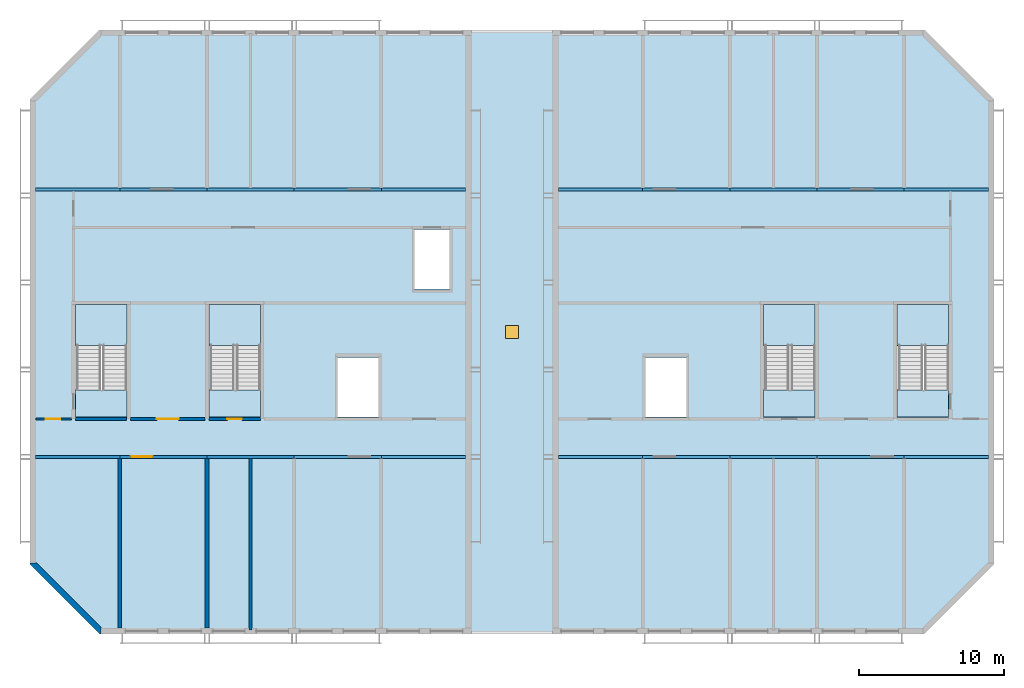
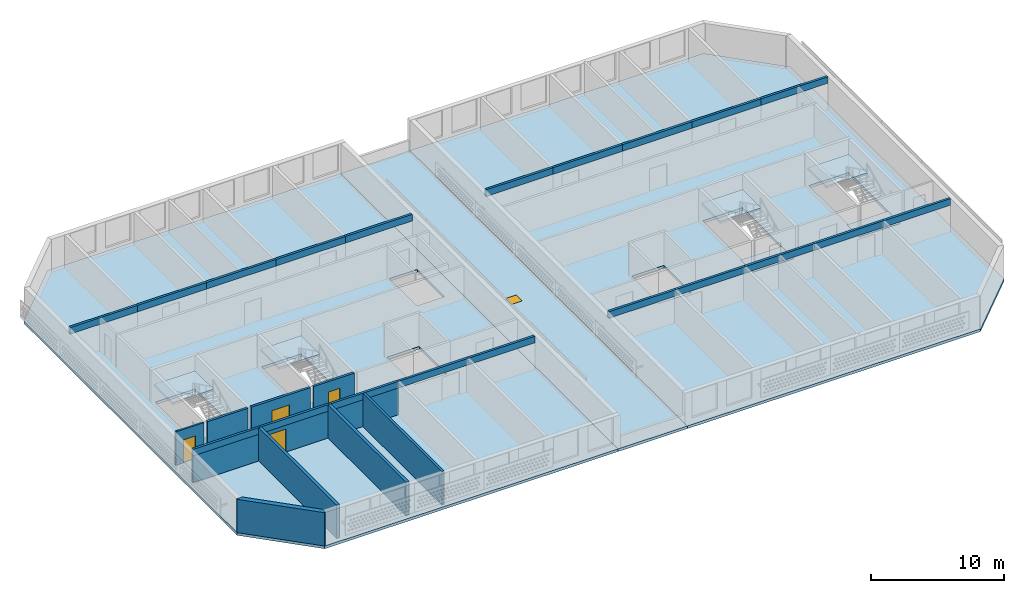
# One storey, part 1 of 18: 20 beams, 11 slabs, 11 walls, 4 doors, 1 window, 5 openings, 4 elements without a shape of their own.
"""IFC4 building model written with IfcOpenShell, lengths in metres."""

from ifc_helpers import new_model, si_unit, direction, frame, frame_2d, origin, origin_2d, place, context, subcontext, project, spatial, polyline, rectangle, outline, extrude, source, transform, mapped, material, layer, layer_set, material_profile, profile_set, type_object, element, fill, aggregate, save


model = new_model("IFC4")

# Units and contexts
model_context = context("Model", 3, precision=1e-05, world=origin(), true_north=direction((0.0, 1.0)))
body_context = subcontext(model_context, "Body", "Model", "MODEL_VIEW")
ifc_project = project(units=[si_unit("LENGTHUNIT", "METRE"), si_unit("AREAUNIT", "SQUARE_METRE"), si_unit("VOLUMEUNIT", "CUBIC_METRE"), si_unit("PLANEANGLEUNIT", "RADIAN"), si_unit("MASSUNIT", "GRAM", prefix="KILO")], contexts=[model_context])

# Site, building, storey
site_placement = place(None, origin())
site = spatial("IfcSite", under=ifc_project, at=site_placement, CompositionType="ELEMENT")
building_placement = place(site_placement, origin())
building = spatial("IfcBuilding", under=site, at=building_placement, Name="Poui Terraces", CompositionType="ELEMENT")
storey_placement = place(building_placement, frame((0.0, 0.0, 272.39990234375)))
storey = spatial("IfcBuildingStorey", under=building, at=storey_placement, Name="L75 CROWN", CompositionType="ELEMENT", Elevation=272.39990234375)

# Beams
ifc_material_1 = material(Name="Concrete 50 MPa", Category="concrete")
ifc_material_profile = material_profile(ifc_material_1, rectangle(XDim=0.199951171875, YDim=0.60009765625, at=origin_2d()), Name="RC 200x600")
ifc_profile_set = profile_set([ifc_material_profile], Name="Concrete 50 MPa")
beam_type = type_object("IfcBeamType", Name="COUPLING BEAM 200x600 50MPa", PredefinedType="BEAM", material=ifc_profile_set)
shared_shape_1 = source(origin(), body_context, "Body", "SweptSolid", [
    extrude(rectangle(XDim=0.199951171875, YDim=0.60009765625, at=origin_2d()), origin(), (0.0, 0.0, 1.0), 5.800048828125),
])
for number, where, z_axis, x_axis, name in (
    (1, (18.199951171875, 12.0, 2.75), (1.0, 0.0, 0.0), (0.0, 1.0, 0.0), "COUPLING BEAM LINE B BAY W1"),
    (2, (42.0, 12.0, 2.75), (1.0, 0.0, 0.0), (0.0, 1.0, 0.0), "COUPLING BEAM LINE B BAY W5"),
    (3, (18.199951171875, 30.39990234375, 2.75), (1.0, 0.0, 0.0), (0.0, 1.0, 0.0), "COUPLING BEAM LINE E BAY W1"),
    (4, (42.0, 30.39990234375, 2.75), (1.0, 0.0, 0.0), (0.0, 1.0, 0.0), "COUPLING BEAM LINE E BAY W5"),
    (5, (54.199951171875, 12.0, 2.75), (1.0, 0.0, 0.0), (0.0, 1.0, 0.0), "COUPLING BEAM LINE B BAY E1"),
    (6, (78.0, 12.0, 2.75), (1.0, 0.0, 0.0), (0.0, 1.0, 0.0), "COUPLING BEAM LINE B BAY E5"),
    (7, (54.199951171875, 30.39990234375, 2.75), (1.0, 0.0, 0.0), (0.0, 1.0, 0.0), "COUPLING BEAM LINE E BAY E1"),
    (8, (78.0, 30.39990234375, 2.75), (1.0, 0.0, 0.0), (0.0, 1.0, 0.0), "COUPLING BEAM LINE E BAY E5"),
):
    element("IfcBeam", number, at=place(storey_placement, frame(where, z_axis=z_axis, x_axis=x_axis)), inside=storey, type_object=beam_type, Name=name, PredefinedType="BEAM", context=body_context, shape_type="MappedRepresentation", body=[
        mapped(shared_shape_1, transform((0.0, 0.0, 0.0))),
    ])
shared_shape_2 = source(origin(), body_context, "Body", "SweptSolid", [
    extrude(rectangle(XDim=0.199951171875, YDim=0.60009765625, at=origin_2d()), origin(), (0.0, 0.0, 1.0), 6.0),
])
for number, where, z_axis, x_axis, name in (
    (9, (24.0, 12.0, 2.75), (1.0, 0.0, 0.0), (0.0, 1.0, 0.0), "COUPLING BEAM LINE B BAY W2"),
    (10, (30.0, 12.0, 2.75), (1.0, 0.0, 0.0), (0.0, 1.0, 0.0), "COUPLING BEAM LINE B BAY W3"),
    (11, (36.0, 12.0, 2.75), (1.0, 0.0, 0.0), (0.0, 1.0, 0.0), "COUPLING BEAM LINE B BAY W4"),
    (12, (24.0, 30.39990234375, 2.75), (1.0, 0.0, 0.0), (0.0, 1.0, 0.0), "COUPLING BEAM LINE E BAY W2"),
    (13, (30.0, 30.39990234375, 2.75), (1.0, 0.0, 0.0), (0.0, 1.0, 0.0), "COUPLING BEAM LINE E BAY W3"),
    (14, (36.0, 30.39990234375, 2.75), (1.0, 0.0, 0.0), (0.0, 1.0, 0.0), "COUPLING BEAM LINE E BAY W4"),
    (15, (60.0, 12.0, 2.75), (1.0, 0.0, 0.0), (0.0, 1.0, 0.0), "COUPLING BEAM LINE B BAY E2"),
    (16, (66.0, 12.0, 2.75), (1.0, 0.0, 0.0), (0.0, 1.0, 0.0), "COUPLING BEAM LINE B BAY E3"),
    (17, (72.0, 12.0, 2.75), (1.0, 0.0, 0.0), (0.0, 1.0, 0.0), "COUPLING BEAM LINE B BAY E4"),
    (18, (60.0, 30.39990234375, 2.75), (1.0, 0.0, 0.0), (0.0, 1.0, 0.0), "COUPLING BEAM LINE E BAY E2"),
    (19, (66.0, 30.39990234375, 2.75), (1.0, 0.0, 0.0), (0.0, 1.0, 0.0), "COUPLING BEAM LINE E BAY E3"),
    (20, (72.0, 30.39990234375, 2.75), (1.0, 0.0, 0.0), (0.0, 1.0, 0.0), "COUPLING BEAM LINE E BAY E4"),
):
    element("IfcBeam", number, at=place(storey_placement, frame(where, z_axis=z_axis, x_axis=x_axis)), inside=storey, type_object=beam_type, Name=name, PredefinedType="BEAM", context=body_context, shape_type="MappedRepresentation", body=[
        mapped(shared_shape_2, transform((0.0, 0.0, 0.0))),
    ])

# Stair, slabs
stair_type = type_object("IfcStairType", Name="EXIT STAIR 1650 50 MPA", PredefinedType="HALF_TURN_STAIR", material=ifc_material_1)
stair_1_placement = place(storey_placement, origin())
stair_1 = element("IfcStair", 21, at=stair_1_placement, inside=storey, type_object=stair_type, Name="L75 CROWN CORE STAIR EAST", PredefinedType="HALF_TURN_STAIR")
ifc_layer_1 = layer(ifc_material_1, 0.199951171875)
ifc_layer_set_1 = layer_set([ifc_layer_1], Name="Concrete 50 MPa")
slab_type_1 = type_object("IfcSlabType", Name="STAIR LANDING 200 50 MPA", PredefinedType="LANDING", material=ifc_layer_set_1)
slab_1_placement = place(storey_placement, frame((0.0, 0.0, 1.449951171875)))
slab_1 = element("IfcSlab", 22, at=slab_1_placement, type_object=slab_type_1, Name="ST-CE landing 1", PredefinedType="LANDING", context=body_context, shape_type="SweptSolid", body=[
    extrude(outline(polyline([(68.324951171875, 19.679931640625), (71.875, 19.679931640625), (71.875, 22.47509765625), (68.324951171875, 22.47509765625), (68.324951171875, 19.679931640625)])), origin(), (0.0, 0.0, 1.0), 0.2001953125),
])
slab_2_placement = place(storey_placement, frame((0.0, 0.0, -0.199951171875)))
slab_2 = element("IfcSlab", 23, at=slab_2_placement, type_object=slab_type_1, Name="ST-CE landing 2", PredefinedType="LANDING", context=body_context, shape_type="SweptSolid", body=[
    extrude(outline(polyline([(68.324951171875, 14.75), (71.875, 14.75), (71.875, 16.60009765625), (68.324951171875, 16.60009765625), (68.324951171875, 14.75)])), origin(), (0.0, 0.0, 1.0), 0.199951171875),
])
aggregate(stair_1, [slab_1, slab_2])

stair_2_placement = place(storey_placement, origin())
stair_2 = element("IfcStair", 24, at=stair_2_placement, inside=storey, type_object=stair_type, Name="L75 CROWN CORE STAIR WEST", PredefinedType="HALF_TURN_STAIR")
slab_3_placement = place(storey_placement, frame((0.0, 0.0, 1.449951171875)))
slab_3 = element("IfcSlab", 25, at=slab_3_placement, type_object=slab_type_1, Name="ST-CW landing 1", PredefinedType="LANDING", context=body_context, shape_type="SweptSolid", body=[
    extrude(outline(polyline([(30.125, 19.679931640625), (33.675048828125, 19.679931640625), (33.675048828125, 22.47509765625), (30.125, 22.47509765625), (30.125, 19.679931640625)])), origin(), (0.0, 0.0, 1.0), 0.2001953125),
])
slab_4_placement = place(storey_placement, frame((0.0, 0.0, -0.199951171875)))
slab_4 = element("IfcSlab", 26, at=slab_4_placement, type_object=slab_type_1, Name="ST-CW landing 2", PredefinedType="LANDING", context=body_context, shape_type="SweptSolid", body=[
    extrude(outline(polyline([(30.125, 14.75), (33.675048828125, 14.75), (33.675048828125, 16.60009765625), (30.125, 16.60009765625), (30.125, 14.75)])), origin(), (0.0, 0.0, 1.0), 0.199951171875),
])
aggregate(stair_2, [slab_3, slab_4])

stair_3_placement = place(storey_placement, origin())
stair_3 = element("IfcStair", 27, at=stair_3_placement, inside=storey, type_object=stair_type, Name="L75 CROWN TIP STAIR EAST", PredefinedType="HALF_TURN_STAIR")
slab_5_placement = place(storey_placement, frame((0.0, 0.0, 1.449951171875)))
slab_5 = element("IfcSlab", 28, at=slab_5_placement, type_object=slab_type_1, Name="ST-E landing 1", PredefinedType="LANDING", context=body_context, shape_type="SweptSolid", body=[
    extrude(outline(polyline([(77.52490234375, 19.679931640625), (81.074951171875, 19.679931640625), (81.074951171875, 22.47509765625), (77.52490234375, 22.47509765625), (77.52490234375, 19.679931640625)])), origin(), (0.0, 0.0, 1.0), 0.2001953125),
])
slab_6_placement = place(storey_placement, frame((0.0, 0.0, -0.199951171875)))
slab_6 = element("IfcSlab", 29, at=slab_6_placement, type_object=slab_type_1, Name="ST-E landing 2", PredefinedType="LANDING", context=body_context, shape_type="SweptSolid", body=[
    extrude(outline(polyline([(77.52490234375, 14.75), (81.074951171875, 14.75), (81.074951171875, 16.60009765625), (77.52490234375, 16.60009765625), (77.52490234375, 14.75)])), origin(), (0.0, 0.0, 1.0), 0.199951171875),
])
aggregate(stair_3, [slab_5, slab_6])

stair_4_placement = place(storey_placement, origin())
stair_4 = element("IfcStair", 30, at=stair_4_placement, inside=storey, type_object=stair_type, Name="L75 CROWN TIP STAIR WEST", PredefinedType="HALF_TURN_STAIR")
slab_7_placement = place(storey_placement, frame((0.0, 0.0, 1.449951171875)))
slab_7 = element("IfcSlab", 31, at=slab_7_placement, type_object=slab_type_1, Name="ST-W landing 1", PredefinedType="LANDING", context=body_context, shape_type="SweptSolid", body=[
    extrude(outline(polyline([(20.925048828125, 19.679931640625), (24.47509765625, 19.679931640625), (24.47509765625, 22.47509765625), (20.925048828125, 22.47509765625), (20.925048828125, 19.679931640625)])), origin(), (0.0, 0.0, 1.0), 0.2001953125),
])
slab_8_placement = place(storey_placement, frame((0.0, 0.0, -0.199951171875)))
slab_8 = element("IfcSlab", 32, at=slab_8_placement, type_object=slab_type_1, Name="ST-W landing 2", PredefinedType="LANDING", context=body_context, shape_type="SweptSolid", body=[
    extrude(outline(polyline([(20.925048828125, 14.75), (24.47509765625, 14.75), (24.47509765625, 16.60009765625), (20.925048828125, 16.60009765625), (20.925048828125, 14.75)])), origin(), (0.0, 0.0, 1.0), 0.199951171875),
])
aggregate(stair_4, [slab_7, slab_8])

# Slabs
ifc_material_2 = material(Name="Concrete 40 MPa", Category="concrete")
ifc_layer_2 = layer(ifc_material_2, 0.25)
ifc_layer_set_2 = layer_set([ifc_layer_2], Name="Concrete 40 MPa")
slab_type_2 = type_object("IfcSlabType", Name="FLOOR SLAB 250", PredefinedType="FLOOR", material=ifc_layer_set_2)
shared_shape_3 = source(origin(), body_context, "Body", "SweptSolid", [
    extrude(outline(polyline([(0.0, 0.0), (4.800048828125, -4.800048828125), (30.199951171875, -4.800048828125), (30.199951171875, 36.7998046875), (4.800048828125, 36.7998046875), (0.0, 32.0), (0.0, 0.0)]), holes=[polyline([(24.0, 14.25), (24.0, 10.14990234375), (21.199951171875, 10.14990234375), (21.199951171875, 14.25), (24.0, 14.25)]), polyline([(3.224853515625, 12.0), (3.224853515625, 17.849853515625), (6.675048828125, 17.849853515625), (6.675048828125, 12.0), (6.675048828125, 10.14990234375), (3.125, 10.14990234375), (3.125, 12.0), (3.224853515625, 12.0)]), polyline([(12.425048828125, 12.0), (12.425048828125, 17.849853515625), (15.875, 17.849853515625), (15.875, 12.0), (15.875, 10.14990234375), (12.324951171875, 10.14990234375), (12.324951171875, 12.0), (12.425048828125, 12.0)]), polyline([(28.89990234375, 18.949951171875), (26.5, 18.949951171875), (26.5, 23.0498046875), (28.89990234375, 23.0498046875), (28.89990234375, 18.949951171875)])]), origin(), (0.0, 0.0, 1.0), 0.25),
])
slab_9_placement = place(storey_placement, frame((17.800048828125, 4.60009765625, -0.25)))
element("IfcSlab", 33, at=slab_9_placement, inside=storey, type_object=slab_type_2, Name="FLOOR SLAB", PredefinedType="FLOOR", context=body_context, shape_type="MappedRepresentation", body=[
    mapped(shared_shape_3, transform((0.0, 0.0, 0.0))),
])
shared_shape_4 = source(origin(), body_context, "Body", "SweptSolid", [
    extrude(outline(polyline([(0.0, 0.0), (-4.800048828125, 4.7998046875), (-30.199951171875, 4.7998046875), (-30.199951171875, -36.800048828125), (-4.800048828125, -36.800048828125), (0.0, -32.0), (0.0, 0.0)]), holes=[polyline([(-21.199951171875, -21.85009765625), (-24.0, -21.85009765625), (-24.0, -17.75), (-21.199951171875, -17.75), (-21.199951171875, -21.85009765625)]), polyline([(-15.77490234375, -20.0), (-15.77490234375, -14.150146484375), (-12.324951171875, -14.150146484375), (-12.324951171875, -20.0), (-12.324951171875, -21.85009765625), (-15.875, -21.85009765625), (-15.875, -20.0), (-15.77490234375, -20.0)]), polyline([(-6.574951171875, -20.0), (-6.574951171875, -14.150146484375), (-3.125, -14.150146484375), (-3.125, -20.0), (-3.125, -21.85009765625), (-6.675048828125, -21.85009765625), (-6.675048828125, -20.0), (-6.574951171875, -20.0)])]), origin(), (0.0, 0.0, 1.0), 0.25),
])
slab_10_placement = place(storey_placement, frame((84.199951171875, 36.60009765625, -0.25)))
element("IfcSlab", 34, at=slab_10_placement, inside=storey, type_object=slab_type_2, Name="FLOOR SLAB", PredefinedType="FLOOR", context=body_context, shape_type="MappedRepresentation", body=[
    mapped(shared_shape_4, transform((0.0, 0.0, 0.0))),
])

# Slab, opening, window
ifc_layer_3 = layer(ifc_material_2, 0.25)
ifc_layer_set_3 = layer_set([ifc_layer_3], Name="Concrete 40 MPa")
slab_type_3 = type_object("IfcSlabType", Name="SLOT FLOOR SLAB 250", PredefinedType="FLOOR", material=ifc_layer_set_3)
shared_shape_5 = source(origin(), body_context, "Body", "SweptSolid", [
    extrude(outline(polyline([(0.0, 0.0), (0.0, 41.599853515625), (-6.0, 41.599853515625), (-6.0, 0.0), (0.0, 0.0)])), origin(), (0.0, 0.0, 1.0), 0.25),
])
slab_11_placement = place(storey_placement, frame((54.0, -0.199951171875, -0.25)))
slab_11 = element("IfcSlab", 35, at=slab_11_placement, inside=storey, type_object=slab_type_3, Name="SLOT FLOOR SLAB", PredefinedType="FLOOR", context=body_context, shape_type="MappedRepresentation", body=[
    mapped(shared_shape_5, transform((0.0, 0.0, 0.0))),
])
opening_1_placement = place(slab_11_placement, frame((-3.0, 20.800048828125, -0.010009765625)))
opening_1 = element("IfcOpeningElement", 36, at=opening_1_placement, cuts=slab_11, Name="Opening RH1", PredefinedType="OPENING", context=body_context, shape_type="SweptSolid", body=[
    extrude(rectangle(XDim=0.89990234375, YDim=0.89990234375, at=origin_2d()), origin(), (0.0, 0.0, 1.0), 0.27001953125),
])
ifc_material_3 = material(Name="Clear glass in aluminium frame", Category="aluminium")
window_type = type_object("IfcWindowType", Name="ROOF ACCESS HATCH 900X900", PartitioningType="SINGLE_PANEL", PredefinedType="SKYLIGHT", material=ifc_material_3)
window_placement = place(opening_1_placement, frame((0.0, 0.0, 0.2099609375)))
window = element("IfcWindow", 37, at=window_placement, inside=storey, type_object=window_type, Name="ROOF ACCESS HATCH", OverallHeight=0.89990234375, OverallWidth=0.89990234375, PartitioningType="SINGLE_PANEL", PredefinedType="SKYLIGHT", context=body_context, shape_type="SweptSolid", body=[
    extrude(rectangle(XDim=0.89990234375, YDim=0.89990234375, at=origin_2d()), origin(), (0.0, 0.0, 1.0), 0.050048828125),
])
fill(opening_1, window)

# Wall, opening, door
ifc_material_4 = material(Name="Fire-rated plasterboard wall")
ifc_layer_4 = layer(ifc_material_4, 0.14990234375)
ifc_layer_set_4 = layer_set([ifc_layer_4], Name="Fire-rated plasterboard wall")
wall_type_1 = type_object("IfcWallType", Name="CORRIDOR WALL 150", PredefinedType="PARTITIONING", material=ifc_layer_set_4)
wall_1_placement = place(storey_placement, frame((18.2099609375, 14.60009765625, 0.0), z_axis=(0.0, 0.0, 1.0), x_axis=(1.0, 0.0, 0.0)))
wall_1 = element("IfcWall", 38, at=wall_1_placement, inside=storey, type_object=wall_type_1, Name="CORRIDOR WALL 150", PredefinedType="PARTITIONING", context=body_context, shape_type="SweptSolid", body=[
    extrude(rectangle(XDim=2.455078125, YDim=0.14990234375, at=frame_2d((1.2275390625, 0.0))), origin(), (0.0, 0.0, 1.0), 3.050048828125),
])
opening_2_placement = place(wall_1_placement, frame((0.68994140625, 0.0, 0.0)))
opening_2 = element("IfcOpeningElement", 39, at=opening_2_placement, cuts=wall_1, Name="Opening FDL", PredefinedType="OPENING", context=body_context, shape_type="SweptSolid", body=[
    extrude(rectangle(XDim=1.0, YDim=2.10009765625, at=frame_2d((0.5, 1.050048828125))), frame((0.0, 0.0849609375, 0.0), z_axis=(0.0, -1.0, 0.0), x_axis=(1.0, 0.0, 0.0)), (0.0, 0.0, 1.0), 0.169921875),
])
ifc_material_5 = material(Name="Steel fire door", Category="steel")
door_type_1 = type_object("IfcDoorType", Name="LOBBY FIRE DOOR 1000 X 2100", OperationType="NOTDEFINED", PredefinedType="DOOR", material=ifc_material_5)
door_1_placement = place(opening_2_placement, origin())
door_1 = element("IfcDoor", 40, at=door_1_placement, inside=storey, type_object=door_type_1, Name="LOBBY FIRE DOOR 020", OperationType="SINGLE_SWING_RIGHT", OverallHeight=2.10009765625, OverallWidth=1.0, PredefinedType="DOOR", context=body_context, shape_type="SweptSolid", body=[
    extrude(rectangle(XDim=1.0, YDim=2.10009765625, at=frame_2d((0.5, 1.050048828125))), frame((0.0, 0.02490234375, 0.0), z_axis=(0.0, -1.0, 0.0), x_axis=(1.0, 0.0, 0.0)), (0.0, 0.0, 1.0), 0.050048828125),
])
fill(opening_2, door_1)

# Wall
ifc_layer_5 = layer(ifc_material_1, 0.199951171875)
ifc_layer_set_5 = layer_set([ifc_layer_5], Name="Concrete 50 MPa")
wall_type_2 = type_object("IfcWallType", Name="CORRIDOR WALL 200 50MPa", PredefinedType="SHEAR", material=ifc_layer_set_5)
wall_2_placement = place(storey_placement, frame((18.199951171875, 12.0, 0.0), z_axis=(0.0, 0.0, 1.0), x_axis=(1.0, 0.0, 0.0)))
element("IfcWall", 41, at=wall_2_placement, inside=storey, type_object=wall_type_2, Name="CORRIDOR WALL LINE B BAY W1", PredefinedType="SHEAR", context=body_context, shape_type="SweptSolid", body=[
    extrude(rectangle(XDim=5.800048828125, YDim=0.199951171875, at=frame_2d((2.89990234375, 0.0))), origin(), (0.0, 0.0, 1.0), 2.4501953125),
])

# Wall, opening, door
wall_3_placement = place(storey_placement, frame((24.0, 12.0, 0.0), z_axis=(0.0, 0.0, 1.0), x_axis=(1.0, 0.0, 0.0)))
wall_3 = element("IfcWall", 42, at=wall_3_placement, inside=storey, type_object=wall_type_2, Name="CORRIDOR WALL LINE B BAY W2", PredefinedType="SHEAR", context=body_context, shape_type="SweptSolid", body=[
    extrude(rectangle(XDim=6.0, YDim=0.199951171875, at=frame_2d((3.0, 0.0))), origin(), (0.0, 0.0, 1.0), 2.4501953125),
])
opening_3_placement = place(wall_3_placement, frame((0.75, 0.0, 0.0)))
opening_3 = element("IfcOpeningElement", 43, at=opening_3_placement, cuts=wall_3, Name="Opening FDP", PredefinedType="OPENING", context=body_context, shape_type="SweptSolid", body=[
    extrude(rectangle(XDim=1.5, YDim=2.10009765625, at=frame_2d((0.75, 1.050048828125))), frame((0.0, 0.10986328125, 0.0), z_axis=(0.0, -1.0, 0.0), x_axis=(1.0, 0.0, 0.0)), (0.0, 0.0, 1.0), 0.219970703125),
])
door_type_2 = type_object("IfcDoorType", Name="PLANT ROOM DOOR PAIR 1500 X 2100", OperationType="DOUBLE_DOOR_SINGLE_SWING", PredefinedType="DOOR", material=ifc_material_5)
door_2_placement = place(opening_3_placement, origin())
door_2 = element("IfcDoor", 44, at=door_2_placement, inside=storey, type_object=door_type_2, Name="PLANT ROOM DOOR PAIR 016", OperationType="DOUBLE_DOOR_SINGLE_SWING", OverallHeight=2.10009765625, OverallWidth=1.5, PredefinedType="DOOR", context=body_context, shape_type="SweptSolid", body=[
    extrude(rectangle(XDim=1.5, YDim=2.10009765625, at=frame_2d((0.75, 1.050048828125))), frame((0.0, 0.02490234375, 0.0), z_axis=(0.0, -1.0, 0.0), x_axis=(1.0, 0.0, 0.0)), (0.0, 0.0, 1.0), 0.050048828125),
])
fill(opening_3, door_2)

# Walls
wall_4_placement = place(storey_placement, frame((30.0, 12.0, 0.0), z_axis=(0.0, 0.0, 1.0), x_axis=(1.0, 0.0, 0.0)))
element("IfcWall", 45, at=wall_4_placement, inside=storey, type_object=wall_type_2, Name="CORRIDOR WALL LINE B BAY W3", PredefinedType="SHEAR", context=body_context, shape_type="SweptSolid", body=[
    extrude(rectangle(XDim=6.0, YDim=0.199951171875, at=frame_2d((3.0, 0.0))), origin(), (0.0, 0.0, 1.0), 2.4501953125),
])
ifc_layer_6 = layer(ifc_material_1, 0.25)
ifc_layer_set_6 = layer_set([ifc_layer_6], Name="Concrete 50 MPa")
wall_type_3 = type_object("IfcWallType", Name="CROSS WALL 250 50MPa", PredefinedType="SHEAR", material=ifc_layer_set_6)
for number, where, z_axis, x_axis, name in (
    (46, (24.0, 0.199951171875, 0.0), (0.0, 0.0, 1.0), (0.0, 1.0, 0.0), "CROSS WALL LINE 5 SOUTH"),
    (47, (30.0, 0.199951171875, 0.0), (0.0, 0.0, 1.0), (0.0, 1.0, 0.0), "CROSS WALL LINE 6 SOUTH"),
):
    element("IfcWall", number, at=place(storey_placement, frame(where, z_axis=z_axis, x_axis=x_axis)), inside=storey, type_object=wall_type_3, Name=name, PredefinedType="SHEAR", context=body_context, shape_type="SweptSolid", body=[
        extrude(rectangle(XDim=11.699951171875, YDim=0.25, at=frame_2d((5.85009765625, 0.0))), origin(), (0.0, 0.0, 1.0), 3.050048828125),
    ])

# Wall, opening, door
ifc_material_6 = material(Name="Fire-rated masonry wall", Category="masonry")
ifc_layer_7 = layer(ifc_material_6, 0.199951171875)
ifc_layer_set_7 = layer_set([ifc_layer_7], Name="Fire-rated masonry wall")
wall_type_4 = type_object("IfcWallType", Name="PLANT ROOM WALL 200", PredefinedType="PARTITIONING", material=ifc_layer_set_7)
wall_5_placement = place(storey_placement, frame((24.735107421875, 14.60009765625, 0.0), z_axis=(0.0, 0.0, 1.0), x_axis=(1.0, 0.0, 0.0)))
wall_5 = element("IfcWall", 48, at=wall_5_placement, inside=storey, type_object=wall_type_4, Name="PLANT ROOM WALL 200", PredefinedType="PARTITIONING", context=body_context, shape_type="SweptSolid", body=[
    extrude(rectangle(XDim=5.1298828125, YDim=0.199951171875, at=frame_2d((2.56494140625, 0.0))), origin(), (0.0, 0.0, 1.0), 3.050048828125),
])
opening_4_placement = place(wall_5_placement, frame((1.81494140625, 0.0, 0.0)))
opening_4 = element("IfcOpeningElement", 49, at=opening_4_placement, cuts=wall_5, Name="Opening FDP", PredefinedType="OPENING", context=body_context, shape_type="SweptSolid", body=[
    extrude(rectangle(XDim=1.5, YDim=2.10009765625, at=frame_2d((0.75, 1.050048828125))), frame((0.0, 0.10986328125, 0.0), z_axis=(0.0, -1.0, 0.0), x_axis=(1.0, 0.0, 0.0)), (0.0, 0.0, 1.0), 0.219970703125),
])
door_3_placement = place(opening_4_placement, frame((1.5, 0.0, 0.0), z_axis=(0.0, 0.0, 1.0), x_axis=(-1.0, 0.0, 0.0)))
door_3 = element("IfcDoor", 50, at=door_3_placement, inside=storey, type_object=door_type_2, Name="PLANT ROOM DOOR PAIR 017", OperationType="DOUBLE_DOOR_SINGLE_SWING", OverallHeight=2.10009765625, OverallWidth=1.5, PredefinedType="DOOR", context=body_context, shape_type="SweptSolid", body=[
    extrude(rectangle(XDim=1.5, YDim=2.10009765625, at=frame_2d((0.75, 1.050048828125))), frame((0.0, 0.02490234375, 0.0), z_axis=(0.0, -1.0, 0.0), x_axis=(1.0, 0.0, 0.0)), (0.0, 0.0, 1.0), 0.050048828125),
])
fill(opening_4, door_3)

# Walls
wall_6_placement = place(storey_placement, frame((33.0, 0.06005859375, 0.0), z_axis=(0.0, 0.0, 1.0), x_axis=(0.0, 1.0, 0.0)))
element("IfcWall", 51, at=wall_6_placement, inside=storey, type_object=wall_type_4, Name="PLANT ROOM WALL 200", PredefinedType="PARTITIONING", context=body_context, shape_type="SweptSolid", body=[
    extrude(rectangle(XDim=11.829833984375, YDim=0.199951171875, at=frame_2d((5.9150390625, 0.0))), origin(), (0.0, 0.0, 1.0), 3.050048828125),
])
ifc_layer_8 = layer(ifc_material_6, 0.199951171875)
ifc_layer_set_8 = layer_set([ifc_layer_8], Name="Fire-rated masonry wall")
wall_type_5 = type_object("IfcWallType", Name="STAIR WALL 200", PredefinedType="PARTITIONING", material=ifc_layer_set_8)
wall_7_placement = place(storey_placement, frame((20.93505859375, 14.60009765625, 0.0), z_axis=(0.0, 0.0, 1.0), x_axis=(1.0, 0.0, 0.0)))
element("IfcWall", 52, at=wall_7_placement, inside=storey, type_object=wall_type_5, Name="STAIR WALL 200", PredefinedType="PARTITIONING", context=body_context, shape_type="SweptSolid", body=[
    extrude(rectangle(XDim=3.530029296875, YDim=0.199951171875, at=frame_2d((1.76513671875, 0.0))), origin(), (0.0, 0.0, 1.0), 3.050048828125),
])

# Wall, opening, door
wall_8_placement = place(storey_placement, frame((30.135009765625, 14.60009765625, 0.0), z_axis=(0.0, 0.0, 1.0), x_axis=(1.0, 0.0, 0.0)))
wall_8 = element("IfcWall", 53, at=wall_8_placement, inside=storey, type_object=wall_type_5, Name="STAIR WALL 200", PredefinedType="PARTITIONING", context=body_context, shape_type="SweptSolid", body=[
    extrude(rectangle(XDim=3.530029296875, YDim=0.199951171875, at=frame_2d((1.76513671875, 0.0))), origin(), (0.0, 0.0, 1.0), 3.050048828125),
])
opening_5_placement = place(wall_8_placement, frame((1.264892578125, 0.0, 0.0)))
opening_5 = element("IfcOpeningElement", 54, at=opening_5_placement, cuts=wall_8, Name="Opening FD60S", PredefinedType="OPENING", context=body_context, shape_type="SweptSolid", body=[
    extrude(rectangle(XDim=1.0, YDim=2.10009765625, at=frame_2d((0.5, 1.050048828125))), frame((0.0, 0.10986328125, 0.0), z_axis=(0.0, -1.0, 0.0), x_axis=(1.0, 0.0, 0.0)), (0.0, 0.0, 1.0), 0.219970703125),
])
door_type_3 = type_object("IfcDoorType", Name="STAIR DOOR 1000 X 2100", OperationType="NOTDEFINED", PredefinedType="DOOR", material=ifc_material_5)
door_4_placement = place(opening_5_placement, frame((1.0, 0.0, 0.0), z_axis=(0.0, 0.0, 1.0), x_axis=(-1.0, 0.0, 0.0)))
door_4 = element("IfcDoor", 55, at=door_4_placement, inside=storey, type_object=door_type_3, Name="STAIR DOOR 023", OperationType="SINGLE_SWING_RIGHT", OverallHeight=2.10009765625, OverallWidth=1.0, PredefinedType="DOOR", context=body_context, shape_type="SweptSolid", body=[
    extrude(rectangle(XDim=1.0, YDim=2.10009765625, at=frame_2d((0.5, 1.050048828125))), frame((0.0, 0.02490234375, 0.0), z_axis=(0.0, -1.0, 0.0), x_axis=(1.0, 0.0, 0.0)), (0.0, 0.0, 1.0), 0.050048828125),
])
fill(opening_5, door_4)

# Wall
ifc_material_7 = material(Name="Precast concrete 40 MPa", Category="concrete")
ifc_layer_9 = layer(ifc_material_7, 0.39990234375)
ifc_layer_set_9 = layer_set([ifc_layer_9], Name="Precast concrete 40 MPa")
wall_type_6 = type_object("IfcWallType", Name="TERRACOTTA CLAD CHAMFER WALL 400", PredefinedType="STANDARD", material=ifc_layer_set_9)
wall_9_placement = place(storey_placement, origin())
element("IfcWall", 56, at=wall_9_placement, inside=storey, type_object=wall_type_6, Name="CHAMFER WALL CH05", PredefinedType="STANDARD", context=body_context, shape_type="SweptSolid", body=[
    extrude(outline(polyline([(17.800048828125, 4.682861328125), (17.800048828125, 4.60009765625), (22.60009765625, -0.199951171875), (22.682861328125, -0.199951171875), (22.682861328125, 0.28271484375), (18.28271484375, 4.682861328125), (17.800048828125, 4.682861328125)])), origin(), (0.0, 0.0, 1.0), 3.050048828125),
])

save(model, "model.ifc")
